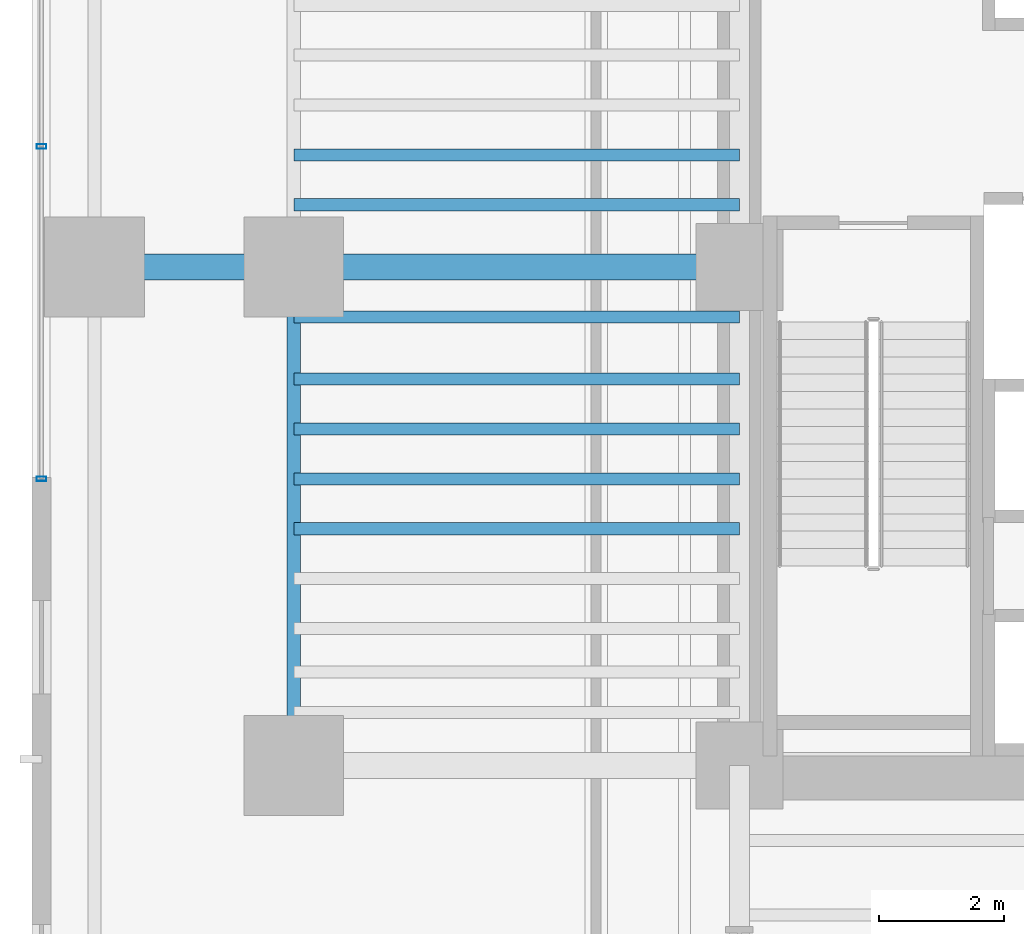
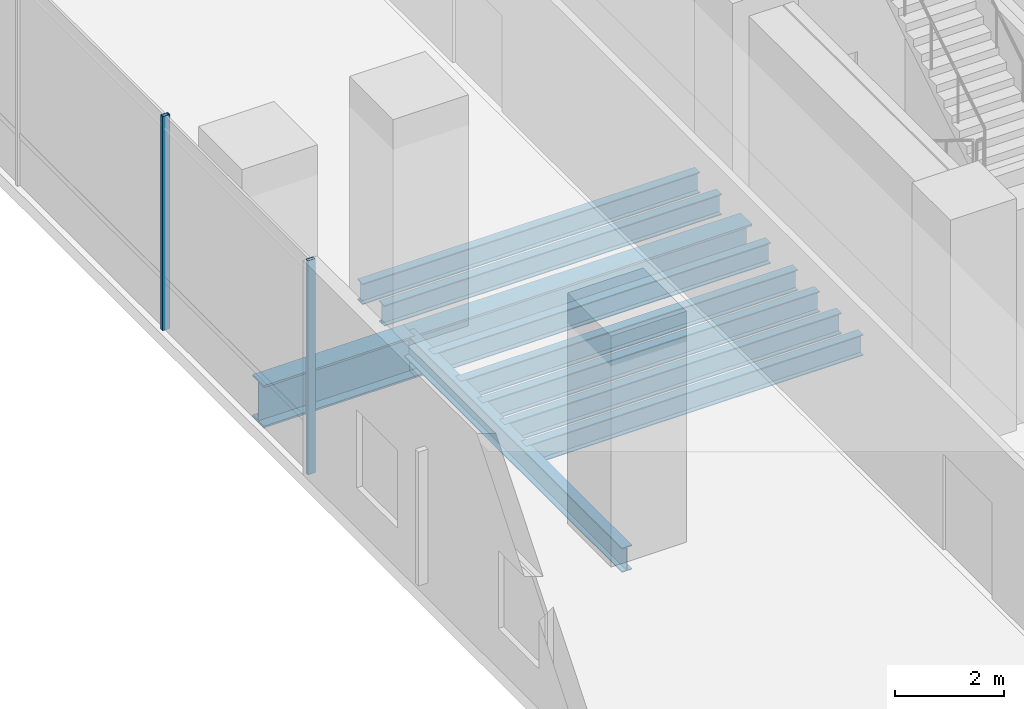
# One storey, part 2 of 39: 10 beams, 2 members, 1 element without a shape of its own.
"""IFC4 building model written with IfcOpenShell, lengths in metres."""

from ifc_helpers import new_model, si_unit, direction, frame, origin, origin_2d, place, context, subcontext, project, spatial, hollow_rectangle, i_section, extrude, source, transform, mapped, material, material_profile, profile_set, type_object, element, aggregate, save


model = new_model("IFC4")

# Units and contexts
model_context = context("Model", 3, precision=1e-05, world=origin(), true_north=direction((0.0, 1.0)))
body_context = subcontext(model_context, "Body", "Model", "MODEL_VIEW")
ifc_project = project(units=[si_unit("LENGTHUNIT", "METRE"), si_unit("AREAUNIT", "SQUARE_METRE"), si_unit("VOLUMEUNIT", "CUBIC_METRE"), si_unit("PLANEANGLEUNIT", "RADIAN"), si_unit("MASSUNIT", "GRAM", prefix="KILO")], contexts=[model_context])

# Site, building, storey
site_placement = place(None, origin())
site = spatial("IfcSite", under=ifc_project, at=site_placement, CompositionType="ELEMENT")
building_placement = place(site_placement, origin())
building = spatial("IfcBuilding", under=site, at=building_placement, Name="Valdorenza Pilgrim Sanctuary Tower", CompositionType="ELEMENT")
storey_placement = place(building_placement, frame((0.0, 0.0, 15.60009765625)))
storey = spatial("IfcBuildingStorey", under=building, at=storey_placement, Name="L03", CompositionType="ELEMENT", Elevation=15.60009765625)

# Beams
ifc_material_1 = material(Name="Steel ASTM A992 Grade 50", Category="steel")
ifc_material_profile_1 = material_profile(ifc_material_1, i_section(OverallWidth=0.423095703125, OverallDepth=0.947998046875, WebThickness=0.02392578125, FlangeThickness=0.042724609375, at=origin_2d()), Name="W36X302")
ifc_profile_set_1 = profile_set([ifc_material_profile_1], Name="Steel ASTM A992 Grade 50")
beam_type_1 = type_object("IfcBeamType", Name="STR-BM-GRD-W36A", PredefinedType="BEAM", material=ifc_profile_set_1)
shared_shape_1 = source(origin(), body_context, "Body", "SweptSolid", [
    extrude(i_section(OverallWidth=0.423095703125, OverallDepth=0.947998046875, WebThickness=0.02392578125, FlangeThickness=0.042724609375, at=origin_2d()), origin(), (0.0, 0.0, 1.0), 7.150146484375),
])
beam_1_placement = place(storey_placement, frame((-29.800048828125, -2.60009765625, -0.754150390625), z_axis=(1.0, 0.0, 0.0), x_axis=(0.0, 1.0, 0.0)))
element("IfcBeam", 1, at=beam_1_placement, inside=storey, type_object=beam_type_1, Name="L03 Floor Girder WA-XW-M0", PredefinedType="BEAM", context=body_context, shape_type="MappedRepresentation", body=[
    mapped(shared_shape_1, transform((0.0, 0.0, 0.0), x_axis=(1.0, 0.0, 0.0), y_axis=(0.0, 1.0, 0.0), z_axis=(0.0, 0.0, 1.0), scale=1.0)),
])
ifc_material_profile_2 = material_profile(ifc_material_1, i_section(OverallWidth=0.214111328125, OverallDepth=0.549072265625, WebThickness=0.0146484375, FlangeThickness=0.023681640625, at=origin_2d()), Name="W21X93")
ifc_profile_set_2 = profile_set([ifc_material_profile_2], Name="Steel ASTM A992 Grade 50")
beam_type_2 = type_object("IfcBeamType", Name="STR-BM-SPN-W21A", PredefinedType="SPANDREL", material=ifc_profile_set_2)
shared_shape_2 = source(origin(), body_context, "Body", "SweptSolid", [
    extrude(i_section(OverallWidth=0.214111328125, OverallDepth=0.549072265625, WebThickness=0.0146484375, FlangeThickness=0.023681640625, at=origin_2d()), origin(), (0.0, 0.0, 1.0), 8.0),
])
beam_2_placement = place(storey_placement, frame((-29.800048828125, -10.60009765625, -0.5546875), z_axis=(0.0, 1.0, 0.0), x_axis=(-1.0, 0.0, 0.0)))
element("IfcBeam", 2, at=beam_2_placement, inside=storey, type_object=beam_type_2, Name="L03 Spandrel Beam WA-W-S1M0", PredefinedType="SPANDREL", context=body_context, shape_type="MappedRepresentation", body=[
    mapped(shared_shape_2, transform((0.0, 0.0, 0.0), x_axis=(1.0, 0.0, 0.0), y_axis=(0.0, 1.0, 0.0), z_axis=(0.0, 0.0, 1.0), scale=1.0)),
])
ifc_material_profile_3 = material_profile(ifc_material_1, i_section(OverallWidth=0.193115234375, OverallDepth=0.466064453125, WebThickness=0.011474609375, FlangeThickness=0.01904296875, at=origin_2d()), Name="W18X65")
ifc_profile_set_3 = profile_set([ifc_material_profile_3], Name="Steel ASTM A992 Grade 50")
beam_type_3 = type_object("IfcBeamType", Name="STR-BM-JST-W18A", PredefinedType="JOIST", material=ifc_profile_set_3)
shared_shape_3 = source(origin(), body_context, "Body", "SweptSolid", [
    extrude(i_section(OverallWidth=0.193115234375, OverallDepth=0.466064453125, WebThickness=0.011474609375, FlangeThickness=0.01904296875, at=origin_2d()), origin(), (0.0, 0.0, 1.0), 7.150146484375),
])
for number, where, z_axis, x_axis, name in (
    (3, (-29.800048828125, -6.800048828125, -0.51318359375), (1.0, 0.0, 0.0), (0.0, 1.0, 0.0), "L03 Composite Floor Joist JST-WA-5"),
    (4, (-29.800048828125, -6.0, -0.51318359375), (1.0, 0.0, 0.0), (0.0, 1.0, 0.0), "L03 Composite Floor Joist JST-WA-6"),
    (5, (-29.800048828125, -5.199951171875, -0.51318359375), (1.0, 0.0, 0.0), (0.0, 1.0, 0.0), "L03 Composite Floor Joist JST-WA-7"),
    (6, (-29.800048828125, -4.39990234375, -0.51318359375), (1.0, 0.0, 0.0), (0.0, 1.0, 0.0), "L03 Composite Floor Joist JST-WA-8"),
    (7, (-29.800048828125, -3.39990234375, -0.51318359375), (1.0, 0.0, 0.0), (0.0, 1.0, 0.0), "L03 Composite Floor Joist JST-WA-9"),
    (8, (-29.800048828125, -1.60009765625, -0.51318359375), (1.0, 0.0, 0.0), (0.0, 1.0, 0.0), "L03 Composite Floor Joist JST-WA-10"),
    (9, (-29.800048828125, -0.800048828125, -0.51318359375), (1.0, 0.0, 0.0), (0.0, 1.0, 0.0), "L03 Composite Floor Joist JST-WA-11"),
):
    element("IfcBeam", number, at=place(storey_placement, frame(where, z_axis=z_axis, x_axis=x_axis)), inside=storey, type_object=beam_type_3, Name=name, PredefinedType="JOIST", context=body_context, shape_type="MappedRepresentation", body=[
        mapped(shared_shape_3, transform((0.0, 0.0, 0.0), x_axis=(1.0, 0.0, 0.0), y_axis=(0.0, 1.0, 0.0), z_axis=(0.0, 0.0, 1.0), scale=1.0)),
    ])
shared_shape_4 = source(origin(), body_context, "Body", "SweptSolid", [
    extrude(i_section(OverallWidth=0.423095703125, OverallDepth=0.947998046875, WebThickness=0.02392578125, FlangeThickness=0.042724609375, at=origin_2d()), origin(), (0.0, 0.0, 1.0), 3.199951171875),
])
beam_3_placement = place(storey_placement, frame((-33.0, -2.60009765625, -0.754150390625), z_axis=(1.0, 0.0, 0.0), x_axis=(0.0, 1.0, 0.0)))
element("IfcBeam", 10, at=beam_3_placement, inside=storey, type_object=beam_type_1, Name="L03 Floor Girder POD-W-M0", PredefinedType="BEAM", context=body_context, shape_type="MappedRepresentation", body=[
    mapped(shared_shape_4, transform((0.0, 0.0, 0.0), x_axis=(1.0, 0.0, 0.0), y_axis=(0.0, 1.0, 0.0), z_axis=(0.0, 0.0, 1.0), scale=1.0)),
])

# Curtain wall, members
ifc_material_2 = material(Name="Curtain-wall IGU glazing", Category="glass")
curtain_wall_type = type_object("IfcCurtainWallType", Name="CW-SYS-01", PredefinedType="NOTDEFINED", material=ifc_material_2)
curtain_wall_placement = place(storey_placement, origin())
curtain_wall = element("IfcCurtainWall", 11, at=curtain_wall_placement, inside=storey, type_object=curtain_wall_type, Name="L03 Curtain Wall CW-POD-L03-WW", PredefinedType="NOTDEFINED")
ifc_material_3 = material(Name="Anodised aluminium AW-6060", Category="aluminium")
ifc_material_profile_4 = material_profile(ifc_material_3, hollow_rectangle(XDim=0.074951171875, YDim=0.159912109375, WallThickness=0.00390625, at=origin_2d()), Name="ALU-M 160x75x4")
ifc_profile_set_4 = profile_set([ifc_material_profile_4], Name="Anodised aluminium AW-6060")
member_type = type_object("IfcMemberType", Name="CW-MUL-01", PredefinedType="MULLION", material=ifc_profile_set_4)
shared_shape_5 = source(origin(), body_context, "Body", "SweptSolid", [
    extrude(hollow_rectangle(XDim=0.074951171875, YDim=0.159912109375, WallThickness=0.00390625, at=origin_2d()), origin(), (0.0, 0.0, 1.0), 4.7998046875),
])
member_1_placement = place(storey_placement, frame((-33.85009765625, -6.0, 0.0), z_axis=(0.0, 0.0, 1.0), x_axis=(0.0, 1.0, 0.0)))
member_1 = element("IfcMember", 12, at=member_1_placement, type_object=member_type, Name="CW-POD-L03-WW Mullion 1", PredefinedType="MULLION", context=body_context, shape_type="MappedRepresentation", body=[
    mapped(shared_shape_5, transform((0.0, 0.0, 0.0), x_axis=(1.0, 0.0, 0.0), y_axis=(0.0, 1.0, 0.0), z_axis=(0.0, 0.0, 1.0), scale=1.0)),
])
member_2_placement = place(storey_placement, frame((-33.85009765625, -0.666748046875, 0.0), z_axis=(0.0, 0.0, 1.0), x_axis=(0.0, 1.0, 0.0)))
member_2 = element("IfcMember", 13, at=member_2_placement, type_object=member_type, Name="CW-POD-L03-WW Mullion 2", PredefinedType="MULLION", context=body_context, shape_type="MappedRepresentation", body=[
    mapped(shared_shape_5, transform((0.0, 0.0, 0.0), x_axis=(1.0, 0.0, 0.0), y_axis=(0.0, 1.0, 0.0), z_axis=(0.0, 0.0, 1.0), scale=1.0)),
])
aggregate(curtain_wall, [member_1, member_2])

save(model, "model.ifc")
